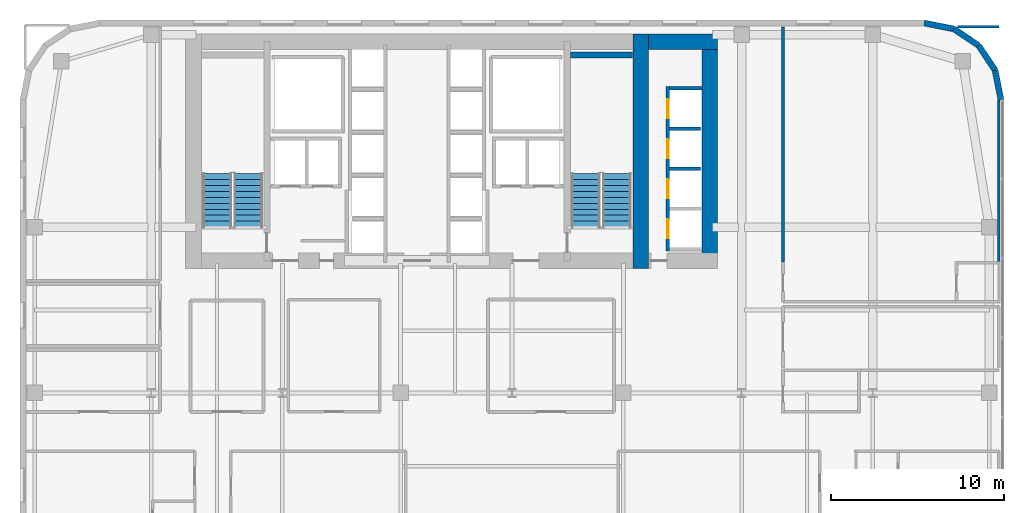
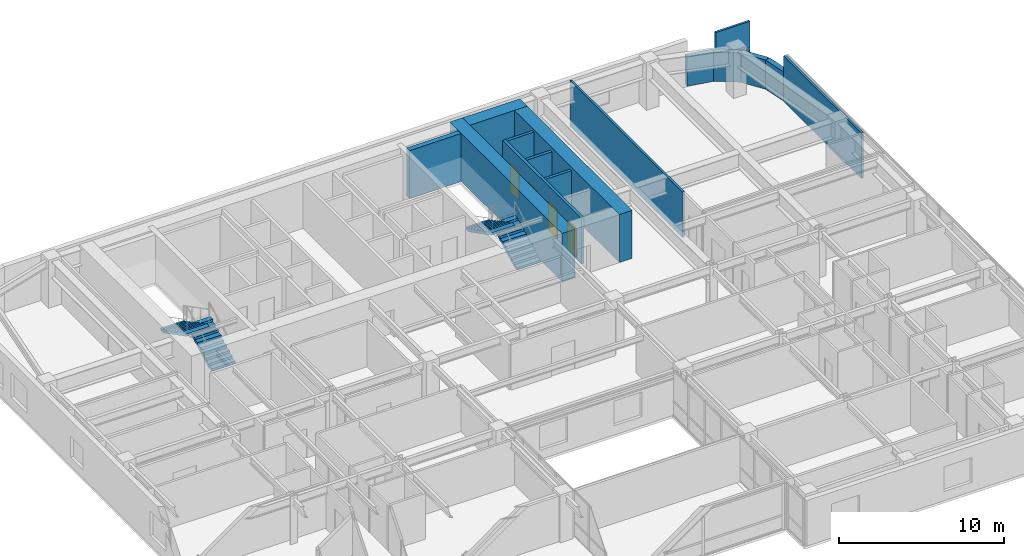
# One storey, part 23 of 25: 15 walls, 4 doors, 4 stair flights, 4 openings, 2 elements without a shape of their own.
"""IFC4 building model written with IfcOpenShell, lengths in metres."""

from ifc_helpers import new_model, si_unit, direction, frame, frame_2d, origin, place, context, subcontext, project, spatial, polyline, rectangle, outline, extrude, source, transform, mapped, material, layer, layer_set, type_object, type_shapes, element, fill, aggregate, save


model = new_model("IFC4")

# Units and contexts
model_context = context("Model", 3, precision=1e-05, world=origin(), true_north=direction((0.0, 1.0)))
body_context = subcontext(model_context, "Body", "Model", "MODEL_VIEW")
ifc_project = project(units=[si_unit("LENGTHUNIT", "METRE"), si_unit("AREAUNIT", "SQUARE_METRE"), si_unit("VOLUMEUNIT", "CUBIC_METRE"), si_unit("PLANEANGLEUNIT", "RADIAN"), si_unit("MASSUNIT", "GRAM", prefix="KILO")], contexts=[model_context])

# Site, building, storey
site_placement = place(None, origin())
site = spatial("IfcSite", under=ifc_project, at=site_placement, CompositionType="ELEMENT")
building_placement = place(site_placement, origin())
building = spatial("IfcBuilding", under=site, at=building_placement, Name="Tolvann Quenvar Hotel", CompositionType="ELEMENT")
storey_placement = place(building_placement, frame((0.0, 0.0, 78.14990234375)))
storey = spatial("IfcBuildingStorey", under=building, at=storey_placement, Name="L19", CompositionType="ELEMENT", Elevation=78.14990234375)

# Walls
ifc_material_1 = material(Name="Concrete S80 (80 MPa)", Category="concrete")
ifc_layer_1 = layer(ifc_material_1, 0.89990234375)
ifc_layer_set_1 = layer_set([ifc_layer_1], Name="Concrete S80 (80 MPa)")
wall_type_1 = type_object("IfcWallType", Name="WALL_CORE_900", PredefinedType="SHEAR", material=ifc_layer_set_1)
wall_1_placement = place(storey_placement, frame((35.949951171875, 31.60009765625, 0.0), z_axis=(0.0, 0.0, 1.0), x_axis=(0.0, 1.0, 0.0)))
element("IfcWall", 1, at=wall_1_placement, inside=storey, type_object=wall_type_1, Name="Rear Core E Shear Wall (L19)", PredefinedType="SHEAR", context=body_context, shape_type="SweptSolid", body=[
    extrude(rectangle(XDim=13.599853515625, YDim=0.89990234375, at=frame_2d((6.7998046875, 0.0))), origin(), (0.0, 0.0, 1.0), 3.550048828125),
])
wall_2_placement = place(storey_placement, frame((36.39990234375, 44.75, 0.0), z_axis=(0.0, 0.0, 1.0), x_axis=(1.0, 0.0, 0.0)))
element("IfcWall", 2, at=wall_2_placement, inside=storey, type_object=wall_type_1, Name="Core East Annex Shear Wall ANN-N (L19)", PredefinedType="SHEAR", context=body_context, shape_type="SweptSolid", body=[
    extrude(rectangle(XDim=4.0, YDim=0.89990234375, at=frame_2d((2.0, 0.0))), origin(), (0.0, 0.0, 1.0), 3.550048828125),
])
wall_3_placement = place(storey_placement, frame((39.949951171875, 31.60009765625, 0.0), z_axis=(0.0, 0.0, 1.0), x_axis=(0.0, 1.0, 0.0)))
element("IfcWall", 3, at=wall_3_placement, inside=storey, type_object=wall_type_1, Name="Core East Annex Shear Wall ANN-E (L19)", PredefinedType="SHEAR", context=body_context, shape_type="SweptSolid", body=[
    extrude(rectangle(XDim=13.599853515625, YDim=0.89990234375, at=frame_2d((6.7998046875, 0.0))), origin(), (0.0, 0.0, 1.0), 3.550048828125),
])
ifc_material_2 = material(Name="Concrete S65 (65 MPa)", Category="concrete")
ifc_layer_2 = layer(ifc_material_2, 0.35009765625)
ifc_layer_set_2 = layer_set([ifc_layer_2], Name="Concrete S65 (65 MPa)")
wall_type_2 = type_object("IfcWallType", Name="WALL_CORE_INT_350", PredefinedType="SHEAR", material=ifc_layer_set_2)
wall_4_placement = place(storey_placement, frame((31.8798828125, 43.97509765625, 0.0), z_axis=(0.0, 0.0, 1.0), x_axis=(1.0, 0.0, 0.0)))
element("IfcWall", 4, at=wall_4_placement, inside=storey, type_object=wall_type_2, Name="Core Stair North Closing Shear Wall STC2-N (L19)", PredefinedType="SHEAR", context=body_context, shape_type="SweptSolid", body=[
    extrude(rectangle(XDim=3.60009765625, YDim=0.35009765625, at=frame_2d((1.800048828125, 0.0))), origin(), (0.0, 0.0, 1.0), 3.550048828125),
])
ifc_material_3 = material(Name="Kiln-fired red and buff architectural clay brickwork and terracotta masonry", Category="masonry")
ifc_layer_3 = layer(ifc_material_3, 0.35009765625)
ifc_layer_set_3 = layer_set([ifc_layer_3], Name="Kiln-fired red and buff architectural clay brickwork and terracotta masonry")
wall_type_3 = type_object("IfcWallType", Name="WALL_EXT_BRICK_350", PredefinedType="SOLIDWALL", material=ifc_layer_set_3)
wall_5_placement = place(storey_placement, frame((56.824951171875, 41.3828125, 0.0), z_axis=(0.0, 0.0, 1.0), x_axis=(-0.195011420161, 0.980800971659, 0.0)))
element("IfcWall", 5, at=wall_5_placement, inside=storey, type_object=wall_type_3, Name="Exterior Chicago Brick Wall L19-E14", PredefinedType="SOLIDWALL", context=body_context, shape_type="SweptSolid", body=[
    extrude(rectangle(XDim=1.74267578125, YDim=0.35009765625, at=frame_2d((0.871337890625, 0.0))), origin(), (0.0, 0.0, 1.0), 2.16015625),
])
for number, where, z_axis, x_axis, name in (
    (6, (56.485107421875, 43.092041015625, 0.0), (0.0, 0.0, 1.0), (-0.55554893791, 0.831483840845, 0.0), "Exterior Chicago Brick Wall L19-E15"),
    (7, (55.526611328125, 44.526611328125, 0.0), (0.0, 0.0, 1.0), (-0.831483840845, 0.55554893791, 0.0), "Exterior Chicago Brick Wall L19-E16"),
):
    element("IfcWall", number, at=place(storey_placement, frame(where, z_axis=z_axis, x_axis=x_axis)), inside=storey, type_object=wall_type_3, Name=name, PredefinedType="SOLIDWALL", context=body_context, shape_type="SweptSolid", body=[
        extrude(rectangle(XDim=1.725341796875, YDim=0.35009765625, at=frame_2d((0.86279296875, 0.0))), origin(), (0.0, 0.0, 1.0), 2.16015625),
    ])
wall_6_placement = place(storey_placement, frame((54.092041015625, 45.485107421875, 0.0), z_axis=(0.0, 0.0, 1.0), x_axis=(-0.980800971659, 0.195011420161, 0.0)))
element("IfcWall", 8, at=wall_6_placement, inside=storey, type_object=wall_type_3, Name="Exterior Chicago Brick Wall L19-E17", PredefinedType="SOLIDWALL", context=body_context, shape_type="SweptSolid", body=[
    extrude(rectangle(XDim=1.74267578125, YDim=0.35009765625, at=frame_2d((0.871337890625, 0.0))), origin(), (0.0, 0.0, 1.0), 2.16015625),
])
ifc_material_4 = material(Name="Acoustic twin-stud fire-rated gypsum plasterboard partition")
ifc_layer_4 = layer(ifc_material_4, 0.14990234375)
ifc_layer_set_4 = layer_set([ifc_layer_4], Name="Acoustic twin-stud fire-rated gypsum plasterboard partition")
wall_type_4 = type_object("IfcWallType", Name="WALL_PART_SUITE_150", PredefinedType="PARTITIONING", material=ifc_layer_set_4)
wall_7_placement = place(storey_placement, frame((56.699951171875, 31.949951171875, 0.0), z_axis=(0.0, 0.0, 1.0), x_axis=(0.0, 1.0, 0.0)))
element("IfcWall", 9, at=wall_7_placement, inside=storey, type_object=wall_type_4, Name="Interior Partition PT-SPC-L19-RM-NE01-E4", PredefinedType="PARTITIONING", context=body_context, shape_type="SweptSolid", body=[
    extrude(rectangle(XDim=9.407958984375, YDim=0.14990234375, at=frame_2d((4.7041015625, 0.0))), origin(), (0.0, 0.0, 1.0), 3.3701171875),
])
wall_8_placement = place(storey_placement, frame((54.303955078125, 45.6201171875, 0.0), z_axis=(0.0, 0.0, 1.0), x_axis=(1.0, 0.0, 0.0)))
element("IfcWall", 10, at=wall_8_placement, inside=storey, type_object=wall_type_4, Name="Interior Partition PT-SPC-L19-RM-NE01-E5", PredefinedType="PARTITIONING", context=body_context, shape_type="SweptSolid", body=[
    extrude(rectangle(XDim=2.39599609375, YDim=0.14990234375, at=frame_2d((1.197998046875, 0.0))), origin(), (0.0, 0.0, 1.0), 3.3701171875),
])
wall_9_placement = place(storey_placement, frame((44.199951171875, 31.969970703125, 0.0), z_axis=(0.0, 0.0, 1.0), x_axis=(0.0, 1.0, 0.0)))
element("IfcWall", 11, at=wall_9_placement, inside=storey, type_object=wall_type_4, Name="Interior Partition PT-SPC-L19-RM-NE01-E6", PredefinedType="PARTITIONING", context=body_context, shape_type="SweptSolid", body=[
    extrude(rectangle(XDim=13.625, YDim=0.14990234375, at=frame_2d((6.8125, 0.0))), origin(), (0.0, 0.0, 1.0), 3.3701171875),
])

# Wall, openings, doors
ifc_material_5 = material(Name="Concrete N40 (40 MPa)", Category="concrete")
ifc_layer_5 = layer(ifc_material_5, 0.199951171875)
ifc_layer_set_5 = layer_set([ifc_layer_5], Name="Concrete N40 (40 MPa)")
wall_type_5 = type_object("IfcWallType", Name="WALL_SHAFT_200", PredefinedType="SOLIDWALL", material=ifc_layer_set_5)
wall_10_placement = place(storey_placement, frame((37.530029296875, 32.610107421875, 0.0), z_axis=(0.0, 0.0, 1.0), x_axis=(0.0, 1.0, 0.0)))
wall_10 = element("IfcWall", 12, at=wall_10_placement, inside=storey, type_object=wall_type_5, Name="Lift Bank W37.6C1 Hoistway Front Wall (L19)", PredefinedType="SOLIDWALL", context=body_context, shape_type="SweptSolid", body=[
    extrude(rectangle(XDim=9.539794921875, YDim=0.199951171875, at=frame_2d((4.77001953125, 0.0))), origin(), (0.0, 0.0, 1.0), 3.3701171875),
])
opening_1_placement = place(wall_10_placement, frame((0.739990234375, 0.0, 0.0)))
opening_1 = element("IfcOpeningElement", 13, at=opening_1_placement, cuts=wall_10, Name="Opening LD-01", PredefinedType="OPENING", context=body_context, shape_type="SweptSolid", body=[
    extrude(rectangle(XDim=1.10009765625, YDim=2.1201171875, at=frame_2d((0.550048828125, 1.06005859375))), frame((0.0, 0.10986328125, 0.0), z_axis=(0.0, -1.0, 0.0), x_axis=(1.0, 0.0, 0.0)), (0.0, 0.0, 1.0), 0.219970703125),
])
opening_2_placement = place(wall_10_placement, frame((3.06005859375, 0.0, 0.0)))
opening_2 = element("IfcOpeningElement", 14, at=opening_2_placement, cuts=wall_10, Name="Opening LD-01", PredefinedType="OPENING", context=body_context, shape_type="SweptSolid", body=[
    extrude(rectangle(XDim=1.10009765625, YDim=2.1201171875, at=frame_2d((0.550048828125, 1.06005859375))), frame((0.0, 0.10986328125, 0.0), z_axis=(0.0, -1.0, 0.0), x_axis=(1.0, 0.0, 0.0)), (0.0, 0.0, 1.0), 0.219970703125),
])
opening_3_placement = place(wall_10_placement, frame((5.3798828125, 0.0, 0.0)))
opening_3 = element("IfcOpeningElement", 15, at=opening_3_placement, cuts=wall_10, Name="Opening LD-01", PredefinedType="OPENING", context=body_context, shape_type="SweptSolid", body=[
    extrude(rectangle(XDim=1.10009765625, YDim=2.1201171875, at=frame_2d((0.550048828125, 1.06005859375))), frame((0.0, 0.10986328125, 0.0), z_axis=(0.0, -1.0, 0.0), x_axis=(1.0, 0.0, 0.0)), (0.0, 0.0, 1.0), 0.219970703125),
])
opening_4_placement = place(wall_10_placement, frame((7.699951171875, 0.0, 0.0)))
opening_4 = element("IfcOpeningElement", 16, at=opening_4_placement, cuts=wall_10, Name="Opening LD-01", PredefinedType="OPENING", context=body_context, shape_type="SweptSolid", body=[
    extrude(rectangle(XDim=1.10009765625, YDim=2.1201171875, at=frame_2d((0.550048828125, 1.06005859375))), frame((0.0, 0.10986328125, 0.0), z_axis=(0.0, -1.0, 0.0), x_axis=(1.0, 0.0, 0.0)), (0.0, 0.0, 1.0), 0.219970703125),
])
ifc_material_6 = material(Name="Brushed 316 stainless steel automatic sliding lift landing door", Category="steel")
door_type = type_object("IfcDoorType", Name="DOOR_LIFT_SLIDE_1100", OperationType="NOTDEFINED", PredefinedType="DOOR", material=ifc_material_6)
shared_shape = source(origin(), body_context, "Body", "SweptSolid", [
    extrude(rectangle(XDim=1.10009765625, YDim=2.1201171875, at=frame_2d((0.550048828125, 1.06005859375))), frame((0.0, 0.02490234375, 0.0), z_axis=(0.0, -1.0, 0.0), x_axis=(1.0, 0.0, 0.0)), (0.0, 0.0, 1.0), 0.050048828125),
])
type_shapes(door_type, [shared_shape])
door_1_placement = place(opening_1_placement, origin())
door_1 = element("IfcDoor", 17, at=door_1_placement, inside=storey, type_object=door_type, Name="Lift PL-1 Sliding Landing Door (L19)", OperationType="SLIDING_TO_LEFT", OverallHeight=2.1201171875, OverallWidth=1.10009765625, PredefinedType="DOOR", context=body_context, shape_type="MappedRepresentation", body=[
    mapped(shared_shape, transform((0.0, 0.0, 0.0), x_axis=(1.0, 0.0, 0.0), y_axis=(0.0, 1.0, 0.0), z_axis=(0.0, 0.0, 1.0), scale=1.0)),
])
fill(opening_1, door_1)
door_2_placement = place(opening_2_placement, origin())
door_2 = element("IfcDoor", 18, at=door_2_placement, inside=storey, type_object=door_type, Name="Lift PL-2 Sliding Landing Door (L19)", OperationType="SLIDING_TO_RIGHT", OverallHeight=2.1201171875, OverallWidth=1.10009765625, PredefinedType="DOOR", context=body_context, shape_type="MappedRepresentation", body=[
    mapped(shared_shape, transform((0.0, 0.0, 0.0), x_axis=(1.0, 0.0, 0.0), y_axis=(0.0, 1.0, 0.0), z_axis=(0.0, 0.0, 1.0), scale=1.0)),
])
fill(opening_2, door_2)
door_3_placement = place(opening_3_placement, origin())
door_3 = element("IfcDoor", 19, at=door_3_placement, inside=storey, type_object=door_type, Name="Lift PL-3 Sliding Landing Door (L19)", OperationType="SLIDING_TO_LEFT", OverallHeight=2.1201171875, OverallWidth=1.10009765625, PredefinedType="DOOR", context=body_context, shape_type="MappedRepresentation", body=[
    mapped(shared_shape, transform((0.0, 0.0, 0.0), x_axis=(1.0, 0.0, 0.0), y_axis=(0.0, 1.0, 0.0), z_axis=(0.0, 0.0, 1.0), scale=1.0)),
])
fill(opening_3, door_3)
door_4_placement = place(opening_4_placement, origin())
door_4 = element("IfcDoor", 20, at=door_4_placement, inside=storey, type_object=door_type, Name="Lift PL-4 Sliding Landing Door (L19)", OperationType="SLIDING_TO_RIGHT", OverallHeight=2.1201171875, OverallWidth=1.10009765625, PredefinedType="DOOR", context=body_context, shape_type="MappedRepresentation", body=[
    mapped(shared_shape, transform((0.0, 0.0, 0.0), x_axis=(1.0, 0.0, 0.0), y_axis=(0.0, 1.0, 0.0), z_axis=(0.0, 0.0, 1.0), scale=1.0)),
])
fill(opening_4, door_4)

# Walls
wall_11_placement = place(storey_placement, frame((37.6298828125, 42.050048828125, 0.0), z_axis=(0.0, 0.0, 1.0), x_axis=(1.0, 0.0, 0.0)))
element("IfcWall", 21, at=wall_11_placement, inside=storey, type_object=wall_type_5, Name="Lift Bank W37.6C1 Hoistway Cheek Wall 2 (L19)", PredefinedType="SOLIDWALL", context=body_context, shape_type="SweptSolid", body=[
    extrude(rectangle(XDim=1.8701171875, YDim=0.199951171875, at=frame_2d((0.93505859375, 0.0))), origin(), (0.0, 0.0, 1.0), 3.3701171875),
])
for number, where, z_axis, x_axis, name in (
    (22, (37.6298828125, 37.3798828125, 0.0), (0.0, 0.0, 1.0), (1.0, 0.0, 0.0), "Lift Bank W37.6C1 Divider Wall 2 (L19)"),
    (23, (37.6298828125, 39.699951171875, 0.0), (0.0, 0.0, 1.0), (1.0, 0.0, 0.0), "Lift Bank W37.6C1 Divider Wall 3 (L19)"),
):
    element("IfcWall", number, at=place(storey_placement, frame(where, z_axis=z_axis, x_axis=x_axis)), inside=storey, type_object=wall_type_5, Name=name, PredefinedType="SOLIDWALL", context=body_context, shape_type="SweptSolid", body=[
        extrude(rectangle(XDim=1.800048828125, YDim=0.199951171875, at=frame_2d((0.89990234375, 0.0))), origin(), (0.0, 0.0, 1.0), 3.3701171875),
    ])

# Stair, stair flights
stair_type = type_object("IfcStairType", Name="STAIR", PredefinedType="HALF_TURN_STAIR", material=ifc_material_5)
stair_1_placement = place(storey_placement, origin())
stair_1 = element("IfcStair", 24, at=stair_1_placement, inside=storey, type_object=stair_type, Name="L19 ST-C1", PredefinedType="HALF_TURN_STAIR")
stair_flight_type = type_object("IfcStairFlightType", Name="STAIR_FLIGHT", PredefinedType="STRAIGHT", material=ifc_material_5)
stair_flight_1_placement = place(storey_placement, frame((13.22509765625, 34.0, 0.0), z_axis=(0.0, 0.0, 1.0), x_axis=(0.0, 1.0, 0.0)))
stair_flight_1 = element("IfcStairFlight", 25, at=stair_flight_1_placement, type_object=stair_flight_type, Name="ST-C1 flight 1", NumberOfRisers=10, NumberOfTreads=9, PredefinedType="STRAIGHT", RiserHeight=0.1775, TreadLength=0.345, context=body_context, shape_type="SweptSolid", body=[
    extrude(outline(polyline([(0.0, 0.0), (0.0, 0.177490234375), (0.344970703125, 0.177490234375), (0.344970703125, 0.35498046875), (0.68994140625, 0.35498046875), (0.68994140625, 0.532470703125), (1.034912109375, 0.532470703125), (1.034912109375, 0.7099609375), (1.3798828125, 0.7099609375), (1.3798828125, 0.887451171875), (1.72509765625, 0.887451171875), (1.72509765625, 1.06494140625), (2.070068359375, 1.06494140625), (2.070068359375, 1.242431640625), (2.4150390625, 1.242431640625), (2.4150390625, 1.419921875), (2.760009765625, 1.419921875), (2.760009765625, 1.597412109375), (3.10498046875, 1.597412109375), (3.10498046875, 1.77490234375), (3.10498046875, 1.428955078125), (0.32763671875, 0.0), (0.0, 0.0)])), frame((0.0, 0.824951171875, 0.0), z_axis=(0.0, -1.0, 0.0), x_axis=(1.0, 0.0, 0.0)), (0.0, 0.0, 1.0), 1.64990234375),
])
stair_flight_2_placement = place(storey_placement, frame((11.425048828125, 37.10498046875, 1.775146484375), z_axis=(0.0, 0.0, 1.0), x_axis=(0.0, -1.0, 0.0)))
stair_flight_2 = element("IfcStairFlight", 26, at=stair_flight_2_placement, type_object=stair_flight_type, Name="ST-C1 flight 2", NumberOfRisers=10, NumberOfTreads=9, PredefinedType="STRAIGHT", RiserHeight=0.1775, TreadLength=0.345, context=body_context, shape_type="SweptSolid", body=[
    extrude(outline(polyline([(0.0, 0.0), (0.0, 0.177490234375), (0.344970703125, 0.177490234375), (0.344970703125, 0.35498046875), (0.68994140625, 0.35498046875), (0.68994140625, 0.532470703125), (1.034912109375, 0.532470703125), (1.034912109375, 0.7099609375), (1.3798828125, 0.7099609375), (1.3798828125, 0.887451171875), (1.72509765625, 0.887451171875), (1.72509765625, 1.06494140625), (2.070068359375, 1.06494140625), (2.070068359375, 1.242431640625), (2.4150390625, 1.242431640625), (2.4150390625, 1.419921875), (2.760009765625, 1.419921875), (2.760009765625, 1.597412109375), (3.10498046875, 1.597412109375), (3.10498046875, 1.77490234375), (3.10498046875, 1.428955078125), (0.32763671875, 0.0), (0.0, 0.0)])), frame((0.0, 0.824951171875, 0.0), z_axis=(0.0, -1.0, 0.0), x_axis=(1.0, 0.0, 0.0)), (0.0, 0.0, 1.0), 1.64990234375),
])
aggregate(stair_1, [stair_flight_1, stair_flight_2])

stair_2_placement = place(storey_placement, origin())
stair_2 = element("IfcStair", 27, at=stair_2_placement, inside=storey, type_object=stair_type, Name="L19 ST-C2", PredefinedType="HALF_TURN_STAIR")
stair_flight_3_placement = place(storey_placement, frame((34.574951171875, 34.0, 0.0), z_axis=(0.0, 0.0, 1.0), x_axis=(0.0, 1.0, 0.0)))
stair_flight_3 = element("IfcStairFlight", 28, at=stair_flight_3_placement, type_object=stair_flight_type, Name="ST-C2 flight 1", NumberOfRisers=10, NumberOfTreads=9, PredefinedType="STRAIGHT", RiserHeight=0.1775, TreadLength=0.345, context=body_context, shape_type="SweptSolid", body=[
    extrude(outline(polyline([(0.0, 0.0), (0.0, 0.177490234375), (0.344970703125, 0.177490234375), (0.344970703125, 0.35498046875), (0.68994140625, 0.35498046875), (0.68994140625, 0.532470703125), (1.034912109375, 0.532470703125), (1.034912109375, 0.7099609375), (1.3798828125, 0.7099609375), (1.3798828125, 0.887451171875), (1.72509765625, 0.887451171875), (1.72509765625, 1.06494140625), (2.070068359375, 1.06494140625), (2.070068359375, 1.242431640625), (2.4150390625, 1.242431640625), (2.4150390625, 1.419921875), (2.760009765625, 1.419921875), (2.760009765625, 1.597412109375), (3.10498046875, 1.597412109375), (3.10498046875, 1.77490234375), (3.10498046875, 1.428955078125), (0.32763671875, 0.0), (0.0, 0.0)])), frame((0.0, 0.824951171875, 0.0), z_axis=(0.0, -1.0, 0.0), x_axis=(1.0, 0.0, 0.0)), (0.0, 0.0, 1.0), 1.64990234375),
])
stair_flight_4_placement = place(storey_placement, frame((32.77490234375, 37.10498046875, 1.775146484375), z_axis=(0.0, 0.0, 1.0), x_axis=(0.0, -1.0, 0.0)))
stair_flight_4 = element("IfcStairFlight", 29, at=stair_flight_4_placement, type_object=stair_flight_type, Name="ST-C2 flight 2", NumberOfRisers=10, NumberOfTreads=9, PredefinedType="STRAIGHT", RiserHeight=0.1775, TreadLength=0.345, context=body_context, shape_type="SweptSolid", body=[
    extrude(outline(polyline([(0.0, 0.0), (0.0, 0.177490234375), (0.344970703125, 0.177490234375), (0.344970703125, 0.35498046875), (0.68994140625, 0.35498046875), (0.68994140625, 0.532470703125), (1.034912109375, 0.532470703125), (1.034912109375, 0.7099609375), (1.3798828125, 0.7099609375), (1.3798828125, 0.887451171875), (1.72509765625, 0.887451171875), (1.72509765625, 1.06494140625), (2.070068359375, 1.06494140625), (2.070068359375, 1.242431640625), (2.4150390625, 1.242431640625), (2.4150390625, 1.419921875), (2.760009765625, 1.419921875), (2.760009765625, 1.597412109375), (3.10498046875, 1.597412109375), (3.10498046875, 1.77490234375), (3.10498046875, 1.428955078125), (0.32763671875, 0.0), (0.0, 0.0)])), frame((0.0, 0.824951171875, 0.0), z_axis=(0.0, -1.0, 0.0), x_axis=(1.0, 0.0, 0.0)), (0.0, 0.0, 1.0), 1.64990234375),
])
aggregate(stair_2, [stair_flight_3, stair_flight_4])

save(model, "model.ifc")
